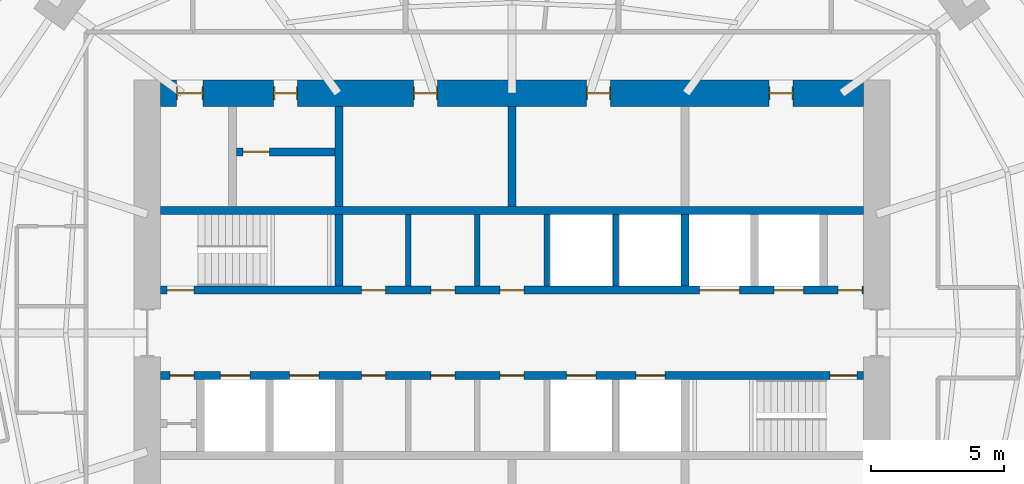
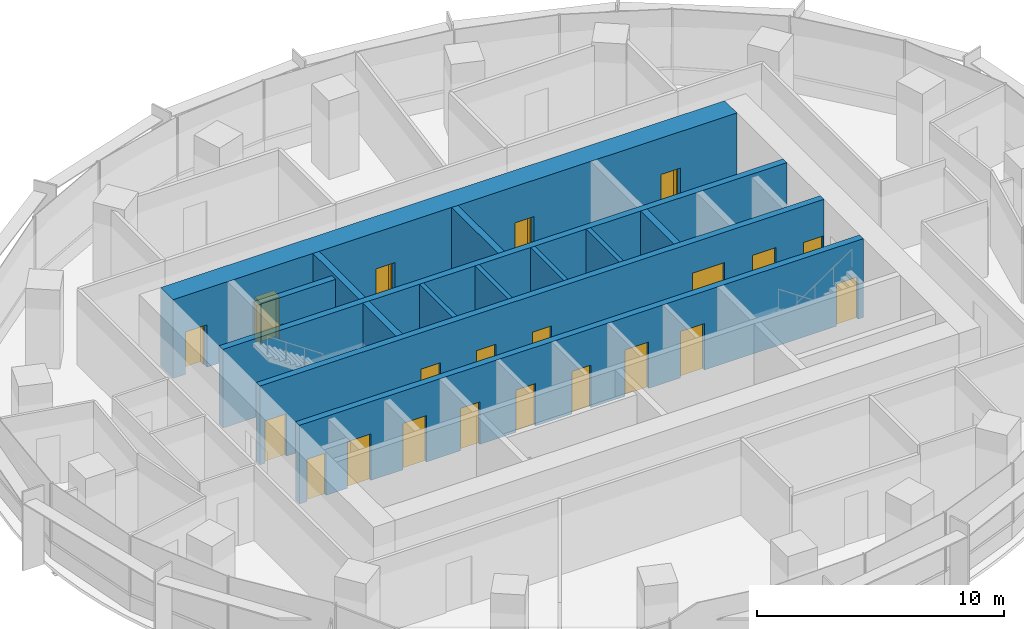
# One storey, part 11 of 14: 22 doors, 13 walls, 22 openings.
"""IFC4 building model written with IfcOpenShell, lengths in metres."""

from ifc_helpers import new_model, si_unit, direction, frame, frame_2d, origin, place, context, subcontext, project, spatial, rectangle, extrude, material, layer, layer_set, type_object, element, fill, save


model = new_model("IFC4")

# Units and contexts
model_context = context("Model", 3, precision=1e-05, world=origin(), true_north=direction((0.0, 1.0)))
body_context = subcontext(model_context, "Body", "Model", "MODEL_VIEW")
ifc_project = project(units=[si_unit("LENGTHUNIT", "METRE"), si_unit("AREAUNIT", "SQUARE_METRE"), si_unit("VOLUMEUNIT", "CUBIC_METRE"), si_unit("PLANEANGLEUNIT", "RADIAN"), si_unit("MASSUNIT", "GRAM", prefix="KILO")], contexts=[model_context])

# Site, building, storey
site_placement = place(None, origin())
site = spatial("IfcSite", under=ifc_project, at=site_placement, CompositionType="ELEMENT")
building_placement = place(site_placement, origin())
building = spatial("IfcBuilding", under=site, at=building_placement, Name="Marramba Exchange Tower", CompositionType="ELEMENT")
storey_placement = place(building_placement, frame((0.0, 0.0, 179.89990234375)))
storey = spatial("IfcBuildingStorey", under=building, at=storey_placement, Name="L43", CompositionType="ELEMENT", Elevation=179.89990234375)

# Walls
ifc_material_1 = material(Name="Concrete N50", Category="concrete")
ifc_layer_1 = layer(ifc_material_1, 0.199951171875)
ifc_layer_set_1 = layer_set([ifc_layer_1], Name="Core shaft wall 200")
wall_type_1 = type_object("IfcWallType", Name="Core shaft wall 200", PredefinedType="SHEAR", material=ifc_layer_set_1)
for number, where, z_axis, x_axis, name in (
    (1, (-3.89990234375, 1.75, 0.0), (0.0, 0.0, 1.0), (0.0, 1.0, 0.0), "Core wall SHN1 L43"),
    (2, (-1.300048828125, 1.75, 0.0), (0.0, 0.0, 1.0), (0.0, 1.0, 0.0), "Core wall SHN2 L43"),
    (3, (1.300048828125, 1.75, 0.0), (0.0, 0.0, 1.0), (0.0, 1.0, 0.0), "Core wall SHN3 L43"),
    (4, (3.89990234375, 1.75, 0.0), (0.0, 0.0, 1.0), (0.0, 1.0, 0.0), "Core wall SHN4 L43"),
):
    element("IfcWall", number, at=place(storey_placement, frame(where, z_axis=z_axis, x_axis=x_axis)), inside=storey, type_object=wall_type_1, Name=name, PredefinedType="SHEAR", context=body_context, shape_type="SweptSolid", body=[
        extrude(rectangle(XDim=2.699951171875, YDim=0.199951171875, at=frame_2d((1.35009765625, 0.0))), origin(), (0.0, 0.0, 1.0), 3.900146484375),
    ])

# Wall, openings, doors
ifc_layer_2 = layer(ifc_material_1, 1.0)
ifc_layer_set_2 = layer_set([ifc_layer_2], Name="Core wall 1000")
wall_type_2 = type_object("IfcWallType", Name="Core wall 1000", PredefinedType="SHEAR", material=ifc_layer_set_2)
wall_1_placement = place(storey_placement, frame((13.199951171875, 9.0, 0.0), z_axis=(0.0, 0.0, 1.0), x_axis=(-1.0, 0.0, 0.0)))
wall_1 = element("IfcWall", 5, at=wall_1_placement, inside=storey, type_object=wall_type_2, Name="Core wall N L43", PredefinedType="SHEAR", context=body_context, shape_type="SweptSolid", body=[
    extrude(rectangle(XDim=26.39990234375, YDim=1.0, at=frame_2d((13.199951171875, 0.0))), origin(), (0.0, 0.0, 1.0), 3.900146484375),
])
opening_1_placement = place(wall_1_placement, frame((2.64990234375, 0.0, 0.0)))
opening_1 = element("IfcOpeningElement", 6, at=opening_1_placement, cuts=wall_1, Name="Opening D5", PredefinedType="OPENING", context=body_context, shape_type="SweptSolid", body=[
    extrude(rectangle(XDim=0.89990234375, YDim=2.10009765625, at=frame_2d((0.449951171875, 1.050048828125))), frame((0.0, 0.510009765625, 0.0), z_axis=(0.0, -1.0, 0.0), x_axis=(1.0, 0.0, 0.0)), (0.0, 0.0, 1.0), 1.02001953125),
])
opening_2_placement = place(wall_1_placement, frame((9.5, 0.0, 0.0)))
opening_2 = element("IfcOpeningElement", 7, at=opening_2_placement, cuts=wall_1, Name="Opening D3", PredefinedType="OPENING", context=body_context, shape_type="SweptSolid", body=[
    extrude(rectangle(XDim=0.89990234375, YDim=2.10009765625, at=frame_2d((0.449951171875, 1.050048828125))), frame((0.0, 0.510009765625, 0.0), z_axis=(0.0, -1.0, 0.0), x_axis=(1.0, 0.0, 0.0)), (0.0, 0.0, 1.0), 1.02001953125),
])
opening_3_placement = place(wall_1_placement, frame((16.0, 0.0, 0.0)))
opening_3 = element("IfcOpeningElement", 8, at=opening_3_placement, cuts=wall_1, Name="Opening D3", PredefinedType="OPENING", context=body_context, shape_type="SweptSolid", body=[
    extrude(rectangle(XDim=0.89990234375, YDim=2.10009765625, at=frame_2d((0.449951171875, 1.050048828125))), frame((0.0, 0.510009765625, 0.0), z_axis=(0.0, -1.0, 0.0), x_axis=(1.0, 0.0, 0.0)), (0.0, 0.0, 1.0), 1.02001953125),
])
opening_4_placement = place(wall_1_placement, frame((21.25, 0.0, 0.0)))
opening_4 = element("IfcOpeningElement", 9, at=opening_4_placement, cuts=wall_1, Name="Opening D5", PredefinedType="OPENING", context=body_context, shape_type="SweptSolid", body=[
    extrude(rectangle(XDim=0.89990234375, YDim=2.10009765625, at=frame_2d((0.449951171875, 1.050048828125))), frame((0.0, 0.510009765625, 0.0), z_axis=(0.0, -1.0, 0.0), x_axis=(1.0, 0.0, 0.0)), (0.0, 0.0, 1.0), 1.02001953125),
])
opening_5_placement = place(wall_1_placement, frame((24.800048828125, 0.0, 0.0)))
opening_5 = element("IfcOpeningElement", 10, at=opening_5_placement, cuts=wall_1, Name="Opening D4", PredefinedType="OPENING", context=body_context, shape_type="SweptSolid", body=[
    extrude(rectangle(XDim=1.0, YDim=2.10009765625, at=frame_2d((0.5, 1.050048828125))), frame((0.0, 0.510009765625, 0.0), z_axis=(0.0, -1.0, 0.0), x_axis=(1.0, 0.0, 0.0)), (0.0, 0.0, 1.0), 1.02001953125),
])
ifc_material_2 = material(Name="Steel-framed door", Category="steel")
door_type_1 = type_object("IfcDoorType", Name="Accessible toilet door 1000x2100", OperationType="SINGLE_SWING_LEFT", PredefinedType="DOOR", material=ifc_material_2)
door_1_placement = place(opening_5_placement, origin())
door_1 = element("IfcDoor", 11, at=door_1_placement, inside=storey, type_object=door_type_1, Name="D4 awc L43", OperationType="SINGLE_SWING_RIGHT", OverallHeight=2.10009765625, OverallWidth=1.0, PredefinedType="DOOR", context=body_context, shape_type="SweptSolid", body=[
    extrude(rectangle(XDim=0.919921875, YDim=2.06005859375, at=frame_2d((0.5, 1.030029296875))), frame((0.0, 0.02490234375, 0.0), z_axis=(0.0, -1.0, 0.0), x_axis=(1.0, 0.0, 0.0)), (0.0, 0.0, 1.0), 0.050048828125),
    extrude(rectangle(XDim=0.04, YDim=2.10009765625, at=frame_2d((0.02001953125, 1.050048828125))), frame((0.0, 0.25, 0.0), z_axis=(0.0, -1.0, 0.0), x_axis=(1.0, 0.0, 0.0)), (0.0, 0.0, 1.0), 0.5),
    extrude(rectangle(XDim=0.04, YDim=2.10009765625, at=frame_2d((0.97998046875, 1.050048828125))), frame((0.0, 0.25, 0.0), z_axis=(0.0, -1.0, 0.0), x_axis=(1.0, 0.0, 0.0)), (0.0, 0.0, 1.0), 0.5),
    extrude(rectangle(XDim=0.919921875, YDim=0.04, at=frame_2d((0.5, 2.080078125))), frame((0.0, 0.25, 0.0), z_axis=(0.0, -1.0, 0.0), x_axis=(1.0, 0.0, 0.0)), (0.0, 0.0, 1.0), 0.5),
])
fill(opening_5, door_1)
door_type_2 = type_object("IfcDoorType", Name="Service door 900x2100", OperationType="SINGLE_SWING_LEFT", PredefinedType="DOOR", material=ifc_material_2)
door_2_placement = place(opening_1_placement, origin())
door_2 = element("IfcDoor", 12, at=door_2_placement, inside=storey, type_object=door_type_2, Name="D5 comms L43", OperationType="SINGLE_SWING_LEFT", OverallHeight=2.10009765625, OverallWidth=0.89990234375, PredefinedType="DOOR", context=body_context, shape_type="SweptSolid", body=[
    extrude(rectangle(XDim=0.81982421875, YDim=2.06005859375, at=frame_2d((0.449951171875, 1.030029296875))), frame((0.0, 0.02490234375, 0.0), z_axis=(0.0, -1.0, 0.0), x_axis=(1.0, 0.0, 0.0)), (0.0, 0.0, 1.0), 0.050048828125),
    extrude(rectangle(XDim=0.04, YDim=2.10009765625, at=frame_2d((0.02001953125, 1.050048828125))), frame((0.0, 0.25, 0.0), z_axis=(0.0, -1.0, 0.0), x_axis=(1.0, 0.0, 0.0)), (0.0, 0.0, 1.0), 0.5),
    extrude(rectangle(XDim=0.04, YDim=2.10009765625, at=frame_2d((0.8798828125, 1.050048828125))), frame((0.0, 0.25, 0.0), z_axis=(0.0, -1.0, 0.0), x_axis=(1.0, 0.0, 0.0)), (0.0, 0.0, 1.0), 0.5),
    extrude(rectangle(XDim=0.81982421875, YDim=0.04, at=frame_2d((0.449951171875, 2.080078125))), frame((0.0, 0.25, 0.0), z_axis=(0.0, -1.0, 0.0), x_axis=(1.0, 0.0, 0.0)), (0.0, 0.0, 1.0), 0.5),
])
fill(opening_1, door_2)
door_3_placement = place(opening_4_placement, origin())
door_3 = element("IfcDoor", 13, at=door_3_placement, inside=storey, type_object=door_type_2, Name="D5 cleaner L43", OperationType="SINGLE_SWING_RIGHT", OverallHeight=2.10009765625, OverallWidth=0.89990234375, PredefinedType="DOOR", context=body_context, shape_type="SweptSolid", body=[
    extrude(rectangle(XDim=0.81982421875, YDim=2.06005859375, at=frame_2d((0.449951171875, 1.030029296875))), frame((0.0, 0.02490234375, 0.0), z_axis=(0.0, -1.0, 0.0), x_axis=(1.0, 0.0, 0.0)), (0.0, 0.0, 1.0), 0.050048828125),
    extrude(rectangle(XDim=0.04, YDim=2.10009765625, at=frame_2d((0.02001953125, 1.050048828125))), frame((0.0, 0.25, 0.0), z_axis=(0.0, -1.0, 0.0), x_axis=(1.0, 0.0, 0.0)), (0.0, 0.0, 1.0), 0.5),
    extrude(rectangle(XDim=0.04, YDim=2.10009765625, at=frame_2d((0.8798828125, 1.050048828125))), frame((0.0, 0.25, 0.0), z_axis=(0.0, -1.0, 0.0), x_axis=(1.0, 0.0, 0.0)), (0.0, 0.0, 1.0), 0.5),
    extrude(rectangle(XDim=0.81982421875, YDim=0.04, at=frame_2d((0.449951171875, 2.080078125))), frame((0.0, 0.25, 0.0), z_axis=(0.0, -1.0, 0.0), x_axis=(1.0, 0.0, 0.0)), (0.0, 0.0, 1.0), 0.5),
])
fill(opening_4, door_3)
door_type_3 = type_object("IfcDoorType", Name="Toilet door 900x2100", OperationType="SINGLE_SWING_LEFT", PredefinedType="DOOR", material=ifc_material_2)
door_4_placement = place(opening_2_placement, origin())
door_4 = element("IfcDoor", 14, at=door_4_placement, inside=storey, type_object=door_type_3, Name="D3 wc-f L43", OperationType="SINGLE_SWING_RIGHT", OverallHeight=2.10009765625, OverallWidth=0.89990234375, PredefinedType="DOOR", context=body_context, shape_type="SweptSolid", body=[
    extrude(rectangle(XDim=0.81982421875, YDim=2.06005859375, at=frame_2d((0.449951171875, 1.030029296875))), frame((0.0, 0.02490234375, 0.0), z_axis=(0.0, -1.0, 0.0), x_axis=(1.0, 0.0, 0.0)), (0.0, 0.0, 1.0), 0.050048828125),
    extrude(rectangle(XDim=0.04, YDim=2.10009765625, at=frame_2d((0.02001953125, 1.050048828125))), frame((0.0, 0.25, 0.0), z_axis=(0.0, -1.0, 0.0), x_axis=(1.0, 0.0, 0.0)), (0.0, 0.0, 1.0), 0.5),
    extrude(rectangle(XDim=0.04, YDim=2.10009765625, at=frame_2d((0.8798828125, 1.050048828125))), frame((0.0, 0.25, 0.0), z_axis=(0.0, -1.0, 0.0), x_axis=(1.0, 0.0, 0.0)), (0.0, 0.0, 1.0), 0.5),
    extrude(rectangle(XDim=0.81982421875, YDim=0.04, at=frame_2d((0.449951171875, 2.080078125))), frame((0.0, 0.25, 0.0), z_axis=(0.0, -1.0, 0.0), x_axis=(1.0, 0.0, 0.0)), (0.0, 0.0, 1.0), 0.5),
])
fill(opening_2, door_4)
door_5_placement = place(opening_3_placement, origin())
door_5 = element("IfcDoor", 15, at=door_5_placement, inside=storey, type_object=door_type_3, Name="D3 wc-m L43", OperationType="SINGLE_SWING_RIGHT", OverallHeight=2.10009765625, OverallWidth=0.89990234375, PredefinedType="DOOR", context=body_context, shape_type="SweptSolid", body=[
    extrude(rectangle(XDim=0.81982421875, YDim=2.06005859375, at=frame_2d((0.449951171875, 1.030029296875))), frame((0.0, 0.02490234375, 0.0), z_axis=(0.0, -1.0, 0.0), x_axis=(1.0, 0.0, 0.0)), (0.0, 0.0, 1.0), 0.050048828125),
    extrude(rectangle(XDim=0.04, YDim=2.10009765625, at=frame_2d((0.02001953125, 1.050048828125))), frame((0.0, 0.25, 0.0), z_axis=(0.0, -1.0, 0.0), x_axis=(1.0, 0.0, 0.0)), (0.0, 0.0, 1.0), 0.5),
    extrude(rectangle(XDim=0.04, YDim=2.10009765625, at=frame_2d((0.8798828125, 1.050048828125))), frame((0.0, 0.25, 0.0), z_axis=(0.0, -1.0, 0.0), x_axis=(1.0, 0.0, 0.0)), (0.0, 0.0, 1.0), 0.5),
    extrude(rectangle(XDim=0.81982421875, YDim=0.04, at=frame_2d((0.449951171875, 2.080078125))), frame((0.0, 0.25, 0.0), z_axis=(0.0, -1.0, 0.0), x_axis=(1.0, 0.0, 0.0)), (0.0, 0.0, 1.0), 0.5),
])
fill(opening_3, door_5)

ifc_layer_3 = layer(ifc_material_1, 0.300048828125)
ifc_layer_set_3 = layer_set([ifc_layer_3], Name="Core wall 300")
wall_type_3 = type_object("IfcWallType", Name="Core wall 300", PredefinedType="SHEAR", material=ifc_layer_set_3)
wall_2_placement = place(storey_placement, frame((-13.199951171875, 1.60009765625, 0.0), z_axis=(0.0, 0.0, 1.0), x_axis=(1.0, 0.0, 0.0)))
wall_2 = element("IfcWall", 16, at=wall_2_placement, inside=storey, type_object=wall_type_3, Name="Core wall LN L43", PredefinedType="SHEAR", context=body_context, shape_type="SweptSolid", body=[
    extrude(rectangle(XDim=26.39990234375, YDim=0.300048828125, at=frame_2d((13.199951171875, 0.0))), origin(), (0.0, 0.0, 1.0), 3.900146484375),
])
opening_6_placement = place(wall_2_placement, frame((0.25, 0.0, 0.0)))
opening_6 = element("IfcOpeningElement", 17, at=opening_6_placement, cuts=wall_2, Name="Opening D2", PredefinedType="OPENING", context=body_context, shape_type="SweptSolid", body=[
    extrude(rectangle(XDim=1.0, YDim=2.10009765625, at=frame_2d((0.5, 1.050048828125))), frame((0.0, 0.159912109375, 0.0), z_axis=(0.0, -1.0, 0.0), x_axis=(1.0, 0.0, 0.0)), (0.0, 0.0, 1.0), 0.320068359375),
])
opening_7_placement = place(wall_2_placement, frame((23.050048828125, 0.0, 0.0)))
opening_7 = element("IfcOpeningElement", 18, at=opening_7_placement, cuts=wall_2, Name="Opening LD1", PredefinedType="OPENING", context=body_context, shape_type="SweptSolid", body=[
    extrude(rectangle(XDim=1.10009765625, YDim=2.300048828125, at=frame_2d((0.550048828125, 1.14990234375))), frame((0.0, 0.159912109375, 0.0), z_axis=(0.0, -1.0, 0.0), x_axis=(1.0, 0.0, 0.0)), (0.0, 0.0, 1.0), 0.320068359375),
])
opening_8_placement = place(wall_2_placement, frame((20.25, 0.0, 0.0)))
opening_8 = element("IfcOpeningElement", 19, at=opening_8_placement, cuts=wall_2, Name="Opening LD3", PredefinedType="OPENING", context=body_context, shape_type="SweptSolid", body=[
    extrude(rectangle(XDim=1.5, YDim=2.39990234375, at=frame_2d((0.75, 1.199951171875))), frame((0.0, 0.159912109375, 0.0), z_axis=(0.0, -1.0, 0.0), x_axis=(1.0, 0.0, 0.0)), (0.0, 0.0, 1.0), 0.320068359375),
])
opening_9_placement = place(wall_2_placement, frame((7.550048828125, 0.0, 0.0)))
opening_9 = element("IfcOpeningElement", 20, at=opening_9_placement, cuts=wall_2, Name="Opening D5", PredefinedType="OPENING", context=body_context, shape_type="SweptSolid", body=[
    extrude(rectangle(XDim=0.89990234375, YDim=2.10009765625, at=frame_2d((0.449951171875, 1.050048828125))), frame((0.0, 0.159912109375, 0.0), z_axis=(0.0, -1.0, 0.0), x_axis=(1.0, 0.0, 0.0)), (0.0, 0.0, 1.0), 0.320068359375),
])
opening_10_placement = place(wall_2_placement, frame((10.14990234375, 0.0, 0.0)))
opening_10 = element("IfcOpeningElement", 21, at=opening_10_placement, cuts=wall_2, Name="Opening D5", PredefinedType="OPENING", context=body_context, shape_type="SweptSolid", body=[
    extrude(rectangle(XDim=0.89990234375, YDim=2.10009765625, at=frame_2d((0.449951171875, 1.050048828125))), frame((0.0, 0.159912109375, 0.0), z_axis=(0.0, -1.0, 0.0), x_axis=(1.0, 0.0, 0.0)), (0.0, 0.0, 1.0), 0.320068359375),
])
opening_11_placement = place(wall_2_placement, frame((12.75, 0.0, 0.0)))
opening_11 = element("IfcOpeningElement", 22, at=opening_11_placement, cuts=wall_2, Name="Opening D5", PredefinedType="OPENING", context=body_context, shape_type="SweptSolid", body=[
    extrude(rectangle(XDim=0.89990234375, YDim=2.10009765625, at=frame_2d((0.449951171875, 1.050048828125))), frame((0.0, 0.159912109375, 0.0), z_axis=(0.0, -1.0, 0.0), x_axis=(1.0, 0.0, 0.0)), (0.0, 0.0, 1.0), 0.320068359375),
])
opening_12_placement = place(wall_2_placement, frame((25.449951171875, 0.0, 0.0)))
opening_12 = element("IfcOpeningElement", 23, at=opening_12_placement, cuts=wall_2, Name="Opening D5", PredefinedType="OPENING", context=body_context, shape_type="SweptSolid", body=[
    extrude(rectangle(XDim=0.89990234375, YDim=2.10009765625, at=frame_2d((0.449951171875, 1.050048828125))), frame((0.0, 0.159912109375, 0.0), z_axis=(0.0, -1.0, 0.0), x_axis=(1.0, 0.0, 0.0)), (0.0, 0.0, 1.0), 0.320068359375),
])
door_type_4 = type_object("IfcDoorType", Name="Goods lift landing door 1500x2400", OperationType="SLIDING_TO_LEFT", PredefinedType="DOOR", material=ifc_material_2)
door_6_placement = place(opening_8_placement, origin())
door_6 = element("IfcDoor", 24, at=door_6_placement, inside=storey, type_object=door_type_4, Name="GL1 landing door L43", OperationType="SLIDING_TO_LEFT", OverallHeight=2.39990234375, OverallWidth=1.5, PredefinedType="DOOR", context=body_context, shape_type="SweptSolid", body=[
    extrude(rectangle(XDim=1.5, YDim=2.39990234375, at=frame_2d((0.75, 1.199951171875))), frame((0.0, 0.02490234375, 0.0), z_axis=(0.0, -1.0, 0.0), x_axis=(1.0, 0.0, 0.0)), (0.0, 0.0, 1.0), 0.050048828125),
])
fill(opening_8, door_6)
door_type_5 = type_object("IfcDoorType", Name="Lift landing door 1100x2300", OperationType="SLIDING_TO_LEFT", PredefinedType="DOOR", material=ifc_material_2)
door_7_placement = place(opening_7_placement, origin())
door_7 = element("IfcDoor", 25, at=door_7_placement, inside=storey, type_object=door_type_5, Name="LC3 landing door L43", OperationType="SLIDING_TO_LEFT", OverallHeight=2.300048828125, OverallWidth=1.10009765625, PredefinedType="DOOR", context=body_context, shape_type="SweptSolid", body=[
    extrude(rectangle(XDim=1.10009765625, YDim=2.300048828125, at=frame_2d((0.550048828125, 1.14990234375))), frame((0.0, 0.02490234375, 0.0), z_axis=(0.0, -1.0, 0.0), x_axis=(1.0, 0.0, 0.0)), (0.0, 0.0, 1.0), 0.050048828125),
])
fill(opening_7, door_7)
door_8_placement = place(opening_9_placement, origin())
door_8 = element("IfcDoor", 26, at=door_8_placement, inside=storey, type_object=door_type_2, Name="D5 stationery store L43", OperationType="SINGLE_SWING_RIGHT", OverallHeight=2.10009765625, OverallWidth=0.89990234375, PredefinedType="DOOR", context=body_context, shape_type="SweptSolid", body=[
    extrude(rectangle(XDim=0.89990234375, YDim=2.10009765625, at=frame_2d((0.449951171875, 1.050048828125))), frame((0.0, 0.02490234375, 0.0), z_axis=(0.0, -1.0, 0.0), x_axis=(1.0, 0.0, 0.0)), (0.0, 0.0, 1.0), 0.050048828125),
])
fill(opening_9, door_8)
door_9_placement = place(opening_10_placement, origin())
door_9 = element("IfcDoor", 27, at=door_9_placement, inside=storey, type_object=door_type_2, Name="D5 switch room L43", OperationType="SINGLE_SWING_RIGHT", OverallHeight=2.10009765625, OverallWidth=0.89990234375, PredefinedType="DOOR", context=body_context, shape_type="SweptSolid", body=[
    extrude(rectangle(XDim=0.89990234375, YDim=2.10009765625, at=frame_2d((0.449951171875, 1.050048828125))), frame((0.0, 0.02490234375, 0.0), z_axis=(0.0, -1.0, 0.0), x_axis=(1.0, 0.0, 0.0)), (0.0, 0.0, 1.0), 0.050048828125),
])
fill(opening_10, door_9)
door_10_placement = place(opening_11_placement, origin())
door_10 = element("IfcDoor", 28, at=door_10_placement, inside=storey, type_object=door_type_2, Name="D5 cleaner store L43", OperationType="SINGLE_SWING_RIGHT", OverallHeight=2.10009765625, OverallWidth=0.89990234375, PredefinedType="DOOR", context=body_context, shape_type="SweptSolid", body=[
    extrude(rectangle(XDim=0.89990234375, YDim=2.10009765625, at=frame_2d((0.449951171875, 1.050048828125))), frame((0.0, 0.02490234375, 0.0), z_axis=(0.0, -1.0, 0.0), x_axis=(1.0, 0.0, 0.0)), (0.0, 0.0, 1.0), 0.050048828125),
])
fill(opening_11, door_10)
door_11_placement = place(opening_12_placement, origin())
door_11 = element("IfcDoor", 29, at=door_11_placement, inside=storey, type_object=door_type_2, Name="D5 riser L43", OperationType="SINGLE_SWING_RIGHT", OverallHeight=2.10009765625, OverallWidth=0.89990234375, PredefinedType="DOOR", context=body_context, shape_type="SweptSolid", body=[
    extrude(rectangle(XDim=0.89990234375, YDim=2.10009765625, at=frame_2d((0.449951171875, 1.050048828125))), frame((0.0, 0.02490234375, 0.0), z_axis=(0.0, -1.0, 0.0), x_axis=(1.0, 0.0, 0.0)), (0.0, 0.0, 1.0), 0.050048828125),
])
fill(opening_12, door_11)
door_type_6 = type_object("IfcDoorType", Name="Stair door 1000x2100", OperationType="SINGLE_SWING_LEFT", PredefinedType="DOOR", material=ifc_material_2)
door_12_placement = place(opening_6_placement, origin())
door_12 = element("IfcDoor", 30, at=door_12_placement, inside=storey, type_object=door_type_6, Name="D2 stair ST1 L43", OperationType="SINGLE_SWING_LEFT", OverallHeight=2.10009765625, OverallWidth=1.0, PredefinedType="DOOR", context=body_context, shape_type="SweptSolid", body=[
    extrude(rectangle(XDim=1.0, YDim=2.10009765625, at=frame_2d((0.5, 1.050048828125))), frame((0.0, 0.02490234375, 0.0), z_axis=(0.0, -1.0, 0.0), x_axis=(1.0, 0.0, 0.0)), (0.0, 0.0, 1.0), 0.050048828125),
])
fill(opening_6, door_12)

wall_3_placement = place(storey_placement, frame((-13.199951171875, -1.60009765625, 0.0), z_axis=(0.0, 0.0, 1.0), x_axis=(1.0, 0.0, 0.0)))
wall_3 = element("IfcWall", 31, at=wall_3_placement, inside=storey, type_object=wall_type_3, Name="Core wall LS L43", PredefinedType="SHEAR", context=body_context, shape_type="SweptSolid", body=[
    extrude(rectangle(XDim=26.39990234375, YDim=0.300048828125, at=frame_2d((13.199951171875, 0.0))), origin(), (0.0, 0.0, 1.0), 3.900146484375),
])
opening_13_placement = place(wall_3_placement, frame((25.14990234375, 0.0, 0.0)))
opening_13 = element("IfcOpeningElement", 32, at=opening_13_placement, cuts=wall_3, Name="Opening D2", PredefinedType="OPENING", context=body_context, shape_type="SweptSolid", body=[
    extrude(rectangle(XDim=1.0, YDim=2.10009765625, at=frame_2d((0.5, 1.050048828125))), frame((0.0, 0.159912109375, 0.0), z_axis=(0.0, -1.0, 0.0), x_axis=(1.0, 0.0, 0.0)), (0.0, 0.0, 1.0), 0.320068359375),
])
opening_14_placement = place(wall_3_placement, frame((7.550048828125, 0.0, 0.0)))
opening_14 = element("IfcOpeningElement", 33, at=opening_14_placement, cuts=wall_3, Name="Opening D5", PredefinedType="OPENING", context=body_context, shape_type="SweptSolid", body=[
    extrude(rectangle(XDim=0.89990234375, YDim=2.10009765625, at=frame_2d((0.449951171875, 1.050048828125))), frame((0.0, 0.159912109375, 0.0), z_axis=(0.0, -1.0, 0.0), x_axis=(1.0, 0.0, 0.0)), (0.0, 0.0, 1.0), 0.320068359375),
])
opening_15_placement = place(wall_3_placement, frame((10.14990234375, 0.0, 0.0)))
opening_15 = element("IfcOpeningElement", 34, at=opening_15_placement, cuts=wall_3, Name="Opening D5", PredefinedType="OPENING", context=body_context, shape_type="SweptSolid", body=[
    extrude(rectangle(XDim=0.89990234375, YDim=2.10009765625, at=frame_2d((0.449951171875, 1.050048828125))), frame((0.0, 0.159912109375, 0.0), z_axis=(0.0, -1.0, 0.0), x_axis=(1.0, 0.0, 0.0)), (0.0, 0.0, 1.0), 0.320068359375),
])
opening_16_placement = place(wall_3_placement, frame((12.75, 0.0, 0.0)))
opening_16 = element("IfcOpeningElement", 35, at=opening_16_placement, cuts=wall_3, Name="Opening D5", PredefinedType="OPENING", context=body_context, shape_type="SweptSolid", body=[
    extrude(rectangle(XDim=0.89990234375, YDim=2.10009765625, at=frame_2d((0.449951171875, 1.050048828125))), frame((0.0, 0.159912109375, 0.0), z_axis=(0.0, -1.0, 0.0), x_axis=(1.0, 0.0, 0.0)), (0.0, 0.0, 1.0), 0.320068359375),
])
opening_17_placement = place(wall_3_placement, frame((15.25, 0.0, 0.0)))
opening_17 = element("IfcOpeningElement", 36, at=opening_17_placement, cuts=wall_3, Name="Opening LD2", PredefinedType="OPENING", context=body_context, shape_type="SweptSolid", body=[
    extrude(rectangle(XDim=1.10009765625, YDim=2.300048828125, at=frame_2d((0.550048828125, 1.14990234375))), frame((0.0, 0.159912109375, 0.0), z_axis=(0.0, -1.0, 0.0), x_axis=(1.0, 0.0, 0.0)), (0.0, 0.0, 1.0), 0.320068359375),
])
opening_18_placement = place(wall_3_placement, frame((17.85009765625, 0.0, 0.0)))
opening_18 = element("IfcOpeningElement", 37, at=opening_18_placement, cuts=wall_3, Name="Opening LD2", PredefinedType="OPENING", context=body_context, shape_type="SweptSolid", body=[
    extrude(rectangle(XDim=1.10009765625, YDim=2.300048828125, at=frame_2d((0.550048828125, 1.14990234375))), frame((0.0, 0.159912109375, 0.0), z_axis=(0.0, -1.0, 0.0), x_axis=(1.0, 0.0, 0.0)), (0.0, 0.0, 1.0), 0.320068359375),
])
opening_19_placement = place(wall_3_placement, frame((4.85009765625, 0.0, 0.0)))
opening_19 = element("IfcOpeningElement", 38, at=opening_19_placement, cuts=wall_3, Name="Opening LD1", PredefinedType="OPENING", context=body_context, shape_type="SweptSolid", body=[
    extrude(rectangle(XDim=1.10009765625, YDim=2.300048828125, at=frame_2d((0.550048828125, 1.14990234375))), frame((0.0, 0.159912109375, 0.0), z_axis=(0.0, -1.0, 0.0), x_axis=(1.0, 0.0, 0.0)), (0.0, 0.0, 1.0), 0.320068359375),
])
opening_20_placement = place(wall_3_placement, frame((2.25, 0.0, 0.0)))
opening_20 = element("IfcOpeningElement", 39, at=opening_20_placement, cuts=wall_3, Name="Opening LD1", PredefinedType="OPENING", context=body_context, shape_type="SweptSolid", body=[
    extrude(rectangle(XDim=1.10009765625, YDim=2.300048828125, at=frame_2d((0.550048828125, 1.14990234375))), frame((0.0, 0.159912109375, 0.0), z_axis=(0.0, -1.0, 0.0), x_axis=(1.0, 0.0, 0.0)), (0.0, 0.0, 1.0), 0.320068359375),
])
opening_21_placement = place(wall_3_placement, frame((0.35009765625, 0.0, 0.0)))
opening_21 = element("IfcOpeningElement", 40, at=opening_21_placement, cuts=wall_3, Name="Opening D5", PredefinedType="OPENING", context=body_context, shape_type="SweptSolid", body=[
    extrude(rectangle(XDim=0.89990234375, YDim=2.10009765625, at=frame_2d((0.449951171875, 1.050048828125))), frame((0.0, 0.159912109375, 0.0), z_axis=(0.0, -1.0, 0.0), x_axis=(1.0, 0.0, 0.0)), (0.0, 0.0, 1.0), 0.320068359375),
])
door_type_7 = type_object("IfcDoorType", Name="Emergency lift landing door 1100x2300", OperationType="SLIDING_TO_LEFT", PredefinedType="DOOR", material=ifc_material_2)
door_13_placement = place(opening_17_placement, frame((1.10009765625, 0.0, 0.0), z_axis=(0.0, 0.0, 1.0), x_axis=(-1.0, 0.0, 0.0)))
door_13 = element("IfcDoor", 41, at=door_13_placement, inside=storey, type_object=door_type_7, Name="FL1 landing door L43", OperationType="SLIDING_TO_RIGHT", OverallHeight=2.300048828125, OverallWidth=1.10009765625, PredefinedType="DOOR", context=body_context, shape_type="SweptSolid", body=[
    extrude(rectangle(XDim=1.10009765625, YDim=2.300048828125, at=frame_2d((0.550048828125, 1.14990234375))), frame((0.0, 0.025146484375, 0.0), z_axis=(0.0, -1.0, 0.0), x_axis=(1.0, 0.0, 0.0)), (0.0, 0.0, 1.0), 0.050048828125),
])
fill(opening_17, door_13)
door_14_placement = place(opening_18_placement, frame((1.10009765625, 0.0, 0.0), z_axis=(0.0, 0.0, 1.0), x_axis=(-1.0, 0.0, 0.0)))
door_14 = element("IfcDoor", 42, at=door_14_placement, inside=storey, type_object=door_type_7, Name="FL2 landing door L43", OperationType="SLIDING_TO_LEFT", OverallHeight=2.300048828125, OverallWidth=1.10009765625, PredefinedType="DOOR", context=body_context, shape_type="SweptSolid", body=[
    extrude(rectangle(XDim=1.10009765625, YDim=2.300048828125, at=frame_2d((0.550048828125, 1.14990234375))), frame((0.0, 0.025146484375, 0.0), z_axis=(0.0, -1.0, 0.0), x_axis=(1.0, 0.0, 0.0)), (0.0, 0.0, 1.0), 0.050048828125),
])
fill(opening_18, door_14)
door_15_placement = place(opening_19_placement, frame((1.10009765625, 0.0, 0.0), z_axis=(0.0, 0.0, 1.0), x_axis=(-1.0, 0.0, 0.0)))
door_15 = element("IfcDoor", 43, at=door_15_placement, inside=storey, type_object=door_type_5, Name="LC1 landing door L43", OperationType="SLIDING_TO_LEFT", OverallHeight=2.300048828125, OverallWidth=1.10009765625, PredefinedType="DOOR", context=body_context, shape_type="SweptSolid", body=[
    extrude(rectangle(XDim=1.10009765625, YDim=2.300048828125, at=frame_2d((0.550048828125, 1.14990234375))), frame((0.0, 0.025146484375, 0.0), z_axis=(0.0, -1.0, 0.0), x_axis=(1.0, 0.0, 0.0)), (0.0, 0.0, 1.0), 0.050048828125),
])
fill(opening_19, door_15)
door_16_placement = place(opening_20_placement, frame((1.10009765625, 0.0, 0.0), z_axis=(0.0, 0.0, 1.0), x_axis=(-1.0, 0.0, 0.0)))
door_16 = element("IfcDoor", 44, at=door_16_placement, inside=storey, type_object=door_type_5, Name="LC2 landing door L43", OperationType="SLIDING_TO_LEFT", OverallHeight=2.300048828125, OverallWidth=1.10009765625, PredefinedType="DOOR", context=body_context, shape_type="SweptSolid", body=[
    extrude(rectangle(XDim=1.10009765625, YDim=2.300048828125, at=frame_2d((0.550048828125, 1.14990234375))), frame((0.0, 0.025146484375, 0.0), z_axis=(0.0, -1.0, 0.0), x_axis=(1.0, 0.0, 0.0)), (0.0, 0.0, 1.0), 0.050048828125),
])
fill(opening_20, door_16)
door_17_placement = place(opening_14_placement, frame((0.89990234375, 0.0, 0.0), z_axis=(0.0, 0.0, 1.0), x_axis=(-1.0, 0.0, 0.0)))
door_17 = element("IfcDoor", 45, at=door_17_placement, inside=storey, type_object=door_type_2, Name="D5 general store L43", OperationType="SINGLE_SWING_RIGHT", OverallHeight=2.10009765625, OverallWidth=0.89990234375, PredefinedType="DOOR", context=body_context, shape_type="SweptSolid", body=[
    extrude(rectangle(XDim=0.89990234375, YDim=2.10009765625, at=frame_2d((0.449951171875, 1.050048828125))), frame((0.0, 0.025146484375, 0.0), z_axis=(0.0, -1.0, 0.0), x_axis=(1.0, 0.0, 0.0)), (0.0, 0.0, 1.0), 0.050048828125),
])
fill(opening_14, door_17)
door_18_placement = place(opening_15_placement, frame((0.89990234375, 0.0, 0.0), z_axis=(0.0, 0.0, 1.0), x_axis=(-1.0, 0.0, 0.0)))
door_18 = element("IfcDoor", 46, at=door_18_placement, inside=storey, type_object=door_type_2, Name="D5 pantry n1 L43", OperationType="SINGLE_SWING_RIGHT", OverallHeight=2.10009765625, OverallWidth=0.89990234375, PredefinedType="DOOR", context=body_context, shape_type="SweptSolid", body=[
    extrude(rectangle(XDim=0.89990234375, YDim=2.10009765625, at=frame_2d((0.449951171875, 1.050048828125))), frame((0.0, 0.025146484375, 0.0), z_axis=(0.0, -1.0, 0.0), x_axis=(1.0, 0.0, 0.0)), (0.0, 0.0, 1.0), 0.050048828125),
])
fill(opening_15, door_18)
door_19_placement = place(opening_16_placement, frame((0.89990234375, 0.0, 0.0), z_axis=(0.0, 0.0, 1.0), x_axis=(-1.0, 0.0, 0.0)))
door_19 = element("IfcDoor", 47, at=door_19_placement, inside=storey, type_object=door_type_2, Name="D5 linen store n2 L43", OperationType="SINGLE_SWING_RIGHT", OverallHeight=2.10009765625, OverallWidth=0.89990234375, PredefinedType="DOOR", context=body_context, shape_type="SweptSolid", body=[
    extrude(rectangle(XDim=0.89990234375, YDim=2.10009765625, at=frame_2d((0.449951171875, 1.050048828125))), frame((0.0, 0.025146484375, 0.0), z_axis=(0.0, -1.0, 0.0), x_axis=(1.0, 0.0, 0.0)), (0.0, 0.0, 1.0), 0.050048828125),
])
fill(opening_16, door_19)
door_20_placement = place(opening_21_placement, frame((0.89990234375, 0.0, 0.0), z_axis=(0.0, 0.0, 1.0), x_axis=(-1.0, 0.0, 0.0)))
door_20 = element("IfcDoor", 48, at=door_20_placement, inside=storey, type_object=door_type_2, Name="D5 electrical riser L43", OperationType="SINGLE_SWING_LEFT", OverallHeight=2.10009765625, OverallWidth=0.89990234375, PredefinedType="DOOR", context=body_context, shape_type="SweptSolid", body=[
    extrude(rectangle(XDim=0.89990234375, YDim=2.10009765625, at=frame_2d((0.449951171875, 1.050048828125))), frame((0.0, 0.025146484375, 0.0), z_axis=(0.0, -1.0, 0.0), x_axis=(1.0, 0.0, 0.0)), (0.0, 0.0, 1.0), 0.050048828125),
])
fill(opening_21, door_20)
door_21_placement = place(opening_13_placement, frame((1.0, 0.0, 0.0), z_axis=(0.0, 0.0, 1.0), x_axis=(-1.0, 0.0, 0.0)))
door_21 = element("IfcDoor", 49, at=door_21_placement, inside=storey, type_object=door_type_6, Name="D2 stair ST2 L43", OperationType="SINGLE_SWING_LEFT", OverallHeight=2.10009765625, OverallWidth=1.0, PredefinedType="DOOR", context=body_context, shape_type="SweptSolid", body=[
    extrude(rectangle(XDim=1.0, YDim=2.10009765625, at=frame_2d((0.5, 1.050048828125))), frame((0.0, 0.025146484375, 0.0), z_axis=(0.0, -1.0, 0.0), x_axis=(1.0, 0.0, 0.0)), (0.0, 0.0, 1.0), 0.050048828125),
])
fill(opening_13, door_21)

# Walls
wall_4_placement = place(storey_placement, frame((-13.199951171875, 4.60009765625, 0.0), z_axis=(0.0, 0.0, 1.0), x_axis=(1.0, 0.0, 0.0)))
element("IfcWall", 50, at=wall_4_placement, inside=storey, type_object=wall_type_3, Name="Core wall BN L43", PredefinedType="SHEAR", context=body_context, shape_type="SweptSolid", body=[
    extrude(rectangle(XDim=26.39990234375, YDim=0.300048828125, at=frame_2d((13.199951171875, 0.0))), origin(), (0.0, 0.0, 1.0), 3.900146484375),
])
wall_5_placement = place(storey_placement, frame((-6.5, 1.75, 0.0), z_axis=(0.0, 0.0, 1.0), x_axis=(0.0, 1.0, 0.0)))
element("IfcWall", 51, at=wall_5_placement, inside=storey, type_object=wall_type_3, Name="Core wall X0Na L43", PredefinedType="SHEAR", context=body_context, shape_type="SweptSolid", body=[
    extrude(rectangle(XDim=2.699951171875, YDim=0.300048828125, at=frame_2d((1.35009765625, 0.0))), origin(), (0.0, 0.0, 1.0), 3.900146484375),
])
wall_6_placement = place(storey_placement, frame((-6.5, 4.75, 0.0), z_axis=(0.0, 0.0, 1.0), x_axis=(0.0, 1.0, 0.0)))
element("IfcWall", 52, at=wall_6_placement, inside=storey, type_object=wall_type_3, Name="Core wall X0Nb L43", PredefinedType="SHEAR", context=body_context, shape_type="SweptSolid", body=[
    extrude(rectangle(XDim=3.75, YDim=0.300048828125, at=frame_2d((1.875, 0.0))), origin(), (0.0, 0.0, 1.0), 3.900146484375),
])
wall_7_placement = place(storey_placement, frame((6.5, 1.75, 0.0), z_axis=(0.0, 0.0, 1.0), x_axis=(0.0, 1.0, 0.0)))
element("IfcWall", 53, at=wall_7_placement, inside=storey, type_object=wall_type_3, Name="Core wall X1Na L43", PredefinedType="SHEAR", context=body_context, shape_type="SweptSolid", body=[
    extrude(rectangle(XDim=2.699951171875, YDim=0.300048828125, at=frame_2d((1.35009765625, 0.0))), origin(), (0.0, 0.0, 1.0), 3.900146484375),
])
wall_8_placement = place(storey_placement, frame((0.0, 4.75, 0.0), z_axis=(0.0, 0.0, 1.0), x_axis=(0.0, 1.0, 0.0)))
element("IfcWall", 54, at=wall_8_placement, inside=storey, type_object=wall_type_3, Name="Core wall MN L43", PredefinedType="SHEAR", context=body_context, shape_type="SweptSolid", body=[
    extrude(rectangle(XDim=3.75, YDim=0.300048828125, at=frame_2d((1.875, 0.0))), origin(), (0.0, 0.0, 1.0), 3.900146484375),
])

# Wall, opening, door
ifc_material_3 = material(Name="Plasterboard on steel studs, insulated, unrated", Category="steel")
ifc_layer_4 = layer(ifc_material_3, 0.300048828125)
ifc_layer_set_4 = layer_set([ifc_layer_4], Name="Store partition 300")
wall_type_4 = type_object("IfcWallType", Name="Store partition 300", PredefinedType="PARTITIONING", material=ifc_layer_set_4)
wall_9_placement = place(storey_placement, frame((-10.35009765625, 6.800048828125, 0.0), z_axis=(0.0, 0.0, 1.0), x_axis=(1.0, 0.0, 0.0)))
wall_9 = element("IfcWall", 55, at=wall_9_placement, inside=storey, type_object=wall_type_4, Name="Store partition L43 cleaner", PredefinedType="PARTITIONING", context=body_context, shape_type="SweptSolid", body=[
    extrude(rectangle(XDim=3.7001953125, YDim=0.300048828125, at=frame_2d((1.85009765625, 0.0))), origin(), (0.0, 0.0, 1.0), 3.739990234375),
])
opening_22_placement = place(wall_9_placement, frame((0.25, 0.0, 0.0)))
opening_22 = element("IfcOpeningElement", 56, at=opening_22_placement, cuts=wall_9, Name="Opening D9", PredefinedType="OPENING", context=body_context, shape_type="SweptSolid", body=[
    extrude(rectangle(XDim=1.0, YDim=2.39990234375, at=frame_2d((0.5, 1.199951171875))), frame((0.0, 0.159912109375, 0.0), z_axis=(0.0, -1.0, 0.0), x_axis=(1.0, 0.0, 0.0)), (0.0, 0.0, 1.0), 0.320068359375),
])
ifc_material_4 = material(Name="Timber door", Category="wood")
door_type_8 = type_object("IfcDoorType", Name="Room door 1000x2400", OperationType="SINGLE_SWING_LEFT", PredefinedType="DOOR", material=ifc_material_4)
door_22_placement = place(opening_22_placement, origin())
door_22 = element("IfcDoor", 57, at=door_22_placement, inside=storey, type_object=door_type_8, Name="D9 cleaning store L43", OperationType="SINGLE_SWING_LEFT", OverallHeight=2.39990234375, OverallWidth=1.0, PredefinedType="DOOR", context=body_context, shape_type="SweptSolid", body=[
    extrude(rectangle(XDim=1.0, YDim=2.39990234375, at=frame_2d((0.5, 1.199951171875))), frame((0.0, 0.02490234375, 0.0), z_axis=(0.0, -1.0, 0.0), x_axis=(1.0, 0.0, 0.0)), (0.0, 0.0, 1.0), 0.050048828125),
])
fill(opening_22, door_22)

save(model, "model.ifc")
